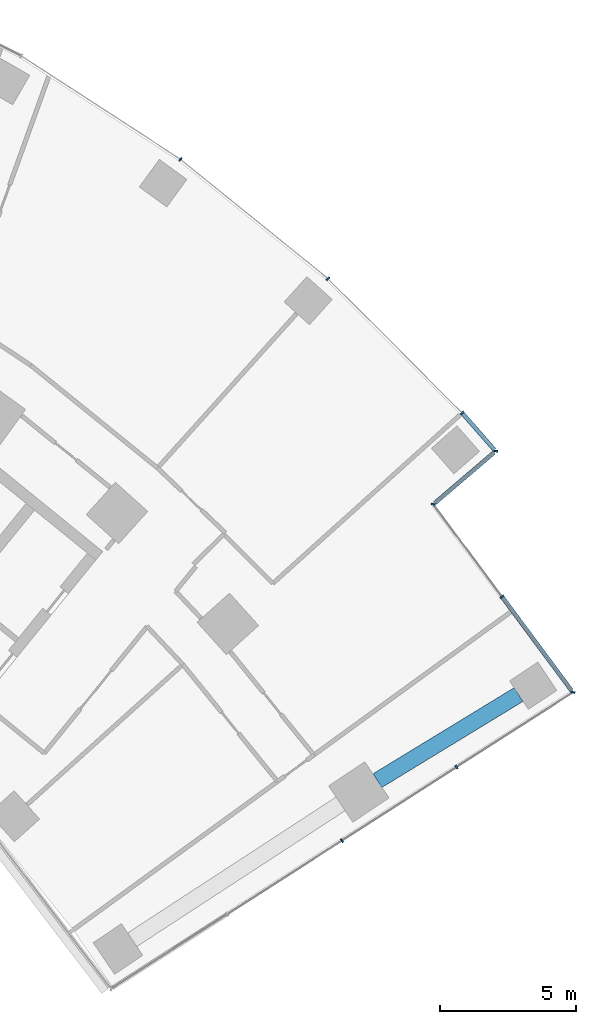
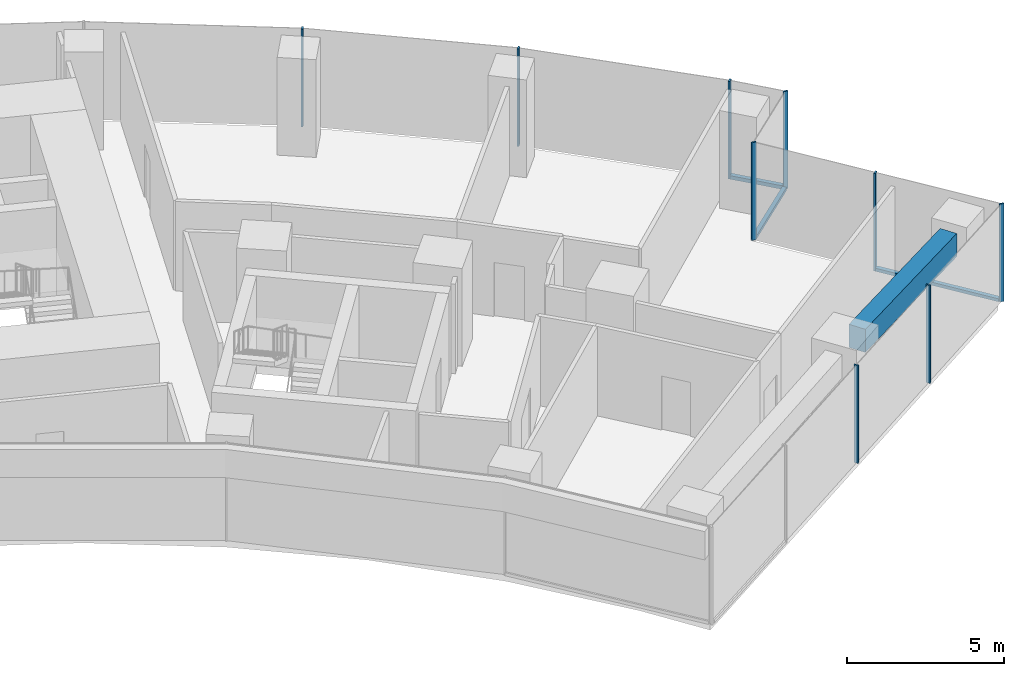
# One storey, part 10 of 21: 12 members, 1 beam, 4 elements without a shape of their own.
"""IFC4 building model written with IfcOpenShell, lengths in metres."""

from ifc_helpers import new_model, si_unit, direction, frame, origin, origin_2d, place, context, subcontext, project, spatial, rectangle, extrude, material, layer, layer_set, material_profile, profile_set, type_object, element, aggregate, save


model = new_model("IFC4")

# Units and contexts
model_context = context("Model", 3, precision=1e-05, world=origin(), true_north=direction((0.0, 1.0)))
body_context = subcontext(model_context, "Body", "Model", "MODEL_VIEW")
ifc_project = project(units=[si_unit("LENGTHUNIT", "METRE"), si_unit("AREAUNIT", "SQUARE_METRE"), si_unit("VOLUMEUNIT", "CUBIC_METRE"), si_unit("PLANEANGLEUNIT", "RADIAN"), si_unit("MASSUNIT", "GRAM", prefix="KILO")], contexts=[model_context])

# Site, building, storey
site_placement = place(None, origin())
site = spatial("IfcSite", under=ifc_project, at=site_placement, CompositionType="ELEMENT")
building_placement = place(site_placement, origin())
building = spatial("IfcBuilding", under=site, at=building_placement, Name="Stone Belt Terrace Tower", CompositionType="ELEMENT")
storey_placement = place(building_placement, frame((0.0, 0.0, 49.0)))
storey = spatial("IfcBuildingStorey", under=building, at=storey_placement, Name="L11", CompositionType="ELEMENT", Elevation=49.0)

# Curtain wall, members
ifc_material_1 = material(Name="Aluminium 6063-T6 anodised frame", Category="aluminium")
ifc_layer_1 = layer(ifc_material_1, 0.14990234375)
ifc_layer_set_1 = layer_set([ifc_layer_1], Name="CW-A unitised convex-face curtain wall")
curtain_wall_type_1 = type_object("IfcCurtainWallType", Name="CW-A unitised convex-face curtain wall", PredefinedType="NOTDEFINED", material=ifc_layer_set_1)
curtain_wall_1_placement = place(storey_placement, origin())
curtain_wall_1 = element("IfcCurtainWall", 1, at=curtain_wall_1_placement, inside=storey, type_object=curtain_wall_type_1, Name="CW-A convex face L11", PredefinedType="NOTDEFINED")
ifc_material_profile_1 = material_profile(ifc_material_1, rectangle(XDim=0.14990234375, YDim=0.06005859375, at=origin_2d()), Name="Aluminium 6063-T6 60x150")
ifc_profile_set_1 = profile_set([ifc_material_profile_1], Name="Aluminium 6063-T6 anodised frame")
member_type_1 = type_object("IfcMemberType", Name="CW-A mullion 60 x 150", PredefinedType="MULLION", material=ifc_profile_set_1)
member_1_placement = place(storey_placement, frame((50.704833984375, 43.14404296875, 0.0), z_axis=(0.0, 0.0, 1.0), x_axis=(-0.997370302564, 0.072473992328, 0.0)))
member_1 = element("IfcMember", 2, at=member_1_placement, type_object=member_type_1, Name="CW-A mullion 1", PredefinedType="MULLION", context=body_context, shape_type="SweptSolid", body=[
    extrude(rectangle(XDim=0.14990234375, YDim=0.06005859375, at=origin_2d()), origin(), (0.0, 0.0, 1.0), 3.800048828125),
])
member_2_placement = place(storey_placement, frame((49.473876953125, 44.548583984375, 0.0), z_axis=(0.0, 0.0, 1.0), x_axis=(-0.729987735312, -0.683460244853, 0.0)))
member_2 = element("IfcMember", 3, at=member_2_placement, type_object=member_type_1, Name="CW-A mullion 2", PredefinedType="MULLION", context=body_context, shape_type="SweptSolid", body=[
    extrude(rectangle(XDim=0.14990234375, YDim=0.06005859375, at=origin_2d()), origin(), (0.0, 0.0, 1.0), 3.800048828125),
])
member_3_placement = place(storey_placement, frame((44.54736328125, 49.474853515625, 0.0), z_axis=(0.0, 0.0, 1.0), x_axis=(-0.669130606359, -0.743144825477, 0.0)))
member_3 = element("IfcMember", 4, at=member_3_placement, type_object=member_type_1, Name="CW-A mullion 3", PredefinedType="MULLION", context=body_context, shape_type="SweptSolid", body=[
    extrude(rectangle(XDim=0.14990234375, YDim=0.06005859375, at=origin_2d()), origin(), (0.0, 0.0, 1.0), 3.800048828125),
])
member_4_placement = place(storey_placement, frame((39.1318359375, 53.8603515625, 0.0), z_axis=(0.0, 0.0, 1.0), x_axis=(-0.587785252292, -0.809016994375, 0.0)))
member_4 = element("IfcMember", 5, at=member_4_placement, type_object=member_type_1, Name="CW-A mullion 4", PredefinedType="MULLION", context=body_context, shape_type="SweptSolid", body=[
    extrude(rectangle(XDim=0.14990234375, YDim=0.06005859375, at=origin_2d()), origin(), (0.0, 0.0, 1.0), 3.800048828125),
])
ifc_material_profile_2 = material_profile(ifc_material_1, rectangle(XDim=0.14990234375, YDim=0.139892578125, at=origin_2d()), Name="Aluminium 6063-T6 150x140")
ifc_profile_set_2 = profile_set([ifc_material_profile_2], Name="Aluminium 6063-T6 anodised frame")
member_type_2 = type_object("IfcMemberType", Name="CW-A transom 140 x 150", PredefinedType="USERDEFINED", material=ifc_profile_set_2)
member_5_placement = place(storey_placement, frame((50.65576171875, 43.199951171875, 0.070068359375), z_axis=(-0.659054166524, 0.752095476378, 0.0), x_axis=(-0.752095476378, -0.659054166524, 0.0)))
member_5 = element("IfcMember", 6, at=member_5_placement, type_object=member_type_2, Name="CW-A transom 1.1", ObjectType="TRANSOM", PredefinedType="USERDEFINED", context=body_context, shape_type="SweptSolid", body=[
    extrude(rectangle(XDim=0.14990234375, YDim=0.139892578125, at=origin_2d()), origin(), (0.0, 0.0, 1.0), 1.7607421875),
])
aggregate(curtain_wall_1, [member_1, member_2, member_3, member_4, member_5])

ifc_layer_2 = layer(ifc_material_1, 0.14990234375)
ifc_layer_set_2 = layer_set([ifc_layer_2], Name="CW-C stick curtain wall, horn ends and notches")
curtain_wall_type_2 = type_object("IfcCurtainWallType", Name="CW-C stick curtain wall, horn ends and notches", PredefinedType="NOTDEFINED", material=ifc_layer_set_2)
curtain_wall_2_placement = place(storey_placement, origin())
curtain_wall_2 = element("IfcCurtainWall", 7, at=curtain_wall_2_placement, inside=storey, type_object=curtain_wall_type_2, Name="CW-C end face L11", PredefinedType="NOTDEFINED")
ifc_material_profile_3 = material_profile(ifc_material_1, rectangle(XDim=0.14990234375, YDim=0.06005859375, at=origin_2d()), Name="Aluminium 6063-T6 60x150")
ifc_profile_set_3 = profile_set([ifc_material_profile_3], Name="Aluminium 6063-T6 anodised frame")
member_type_3 = type_object("IfcMemberType", Name="CW-C mullion 60 x 150", PredefinedType="MULLION", material=ifc_profile_set_3)
member_6_placement = place(storey_placement, frame((45.059326171875, 28.843017578125, 0.0), z_axis=(0.0, 0.0, 1.0), x_axis=(-0.540302305869, 0.841470984807, 0.0)))
member_6 = element("IfcMember", 8, at=member_6_placement, type_object=member_type_3, Name="CW-C mullion 3", PredefinedType="MULLION", context=body_context, shape_type="SweptSolid", body=[
    extrude(rectangle(XDim=0.14990234375, YDim=0.06005859375, at=origin_2d()), origin(), (0.0, 0.0, 1.0), 3.800048828125),
])
member_7_placement = place(storey_placement, frame((49.2666015625, 31.544677734375, 0.0), z_axis=(0.0, 0.0, 1.0), x_axis=(-0.540302305869, 0.841470984807, 0.0)))
member_7 = element("IfcMember", 9, at=member_7_placement, type_object=member_type_3, Name="CW-C mullion 4", PredefinedType="MULLION", context=body_context, shape_type="SweptSolid", body=[
    extrude(rectangle(XDim=0.14990234375, YDim=0.06005859375, at=origin_2d()), origin(), (0.0, 0.0, 1.0), 3.800048828125),
])
aggregate(curtain_wall_2, [member_6, member_7])

curtain_wall_3_placement = place(storey_placement, origin())
curtain_wall_3 = element("IfcCurtainWall", 10, at=curtain_wall_3_placement, inside=storey, type_object=curtain_wall_type_2, Name="CW-C notch face L11", PredefinedType="NOTDEFINED")
member_8_placement = place(storey_placement, frame((53.54150390625, 34.28955078125, 0.0), z_axis=(0.0, 0.0, 1.0), x_axis=(-0.983706042756, 0.179784374864, 0.0)))
member_8 = element("IfcMember", 11, at=member_8_placement, type_object=member_type_3, Name="CW-C mullion 1", PredefinedType="MULLION", context=body_context, shape_type="SweptSolid", body=[
    extrude(rectangle(XDim=0.14990234375, YDim=0.06005859375, at=origin_2d()), origin(), (0.0, 0.0, 1.0), 3.800048828125),
])
member_9_placement = place(storey_placement, frame((50.934814453125, 37.8017578125, 0.0), z_axis=(0.0, 0.0, 1.0), x_axis=(-0.803011209749, -0.59596392258, 0.0)))
member_9 = element("IfcMember", 12, at=member_9_placement, type_object=member_type_3, Name="CW-C mullion 2", PredefinedType="MULLION", context=body_context, shape_type="SweptSolid", body=[
    extrude(rectangle(XDim=0.14990234375, YDim=0.06005859375, at=origin_2d()), origin(), (0.0, 0.0, 1.0), 3.800048828125),
])

# Curtain wall, member
curtain_wall_4_placement = place(storey_placement, origin())
curtain_wall_4 = element("IfcCurtainWall", 13, at=curtain_wall_4_placement, inside=storey, type_object=curtain_wall_type_2, Name="CW-C notch face L11", PredefinedType="NOTDEFINED")
member_10_placement = place(storey_placement, frame((48.417724609375, 41.193359375, 0.0), z_axis=(0.0, 0.0, 1.0), x_axis=(-0.993611226817, 0.112857121813, 0.0)))
member_10 = element("IfcMember", 14, at=member_10_placement, type_object=member_type_3, Name="CW-C mullion 1", PredefinedType="MULLION", context=body_context, shape_type="SweptSolid", body=[
    extrude(rectangle(XDim=0.14990234375, YDim=0.06005859375, at=origin_2d()), origin(), (0.0, 0.0, 1.0), 3.800048828125),
])

# Member
ifc_material_profile_4 = material_profile(ifc_material_1, rectangle(XDim=0.14990234375, YDim=0.1201171875, at=origin_2d()), Name="Aluminium 6063-T6 150x120")
ifc_profile_set_4 = profile_set([ifc_material_profile_4], Name="Aluminium 6063-T6 anodised frame")
member_type_4 = type_object("IfcMemberType", Name="CW-C transom 120 x 150", PredefinedType="USERDEFINED", material=ifc_profile_set_4)
member_11_placement = place(storey_placement, frame((53.49658203125, 34.349853515625, 0.06005859375), z_axis=(-0.595965912746, 0.803009732721, 0.0), x_axis=(-0.803009732721, -0.595965912746, 0.0)))
member_11 = element("IfcMember", 15, at=member_11_placement, type_object=member_type_4, Name="CW-C transom 1.1", ObjectType="TRANSOM", PredefinedType="USERDEFINED", context=body_context, shape_type="SweptSolid", body=[
    extrude(rectangle(XDim=0.14990234375, YDim=0.1201171875, at=origin_2d()), origin(), (0.0, 0.0, 1.0), 4.2685546875),
])

aggregate(curtain_wall_3, [member_8, member_9, member_11])

member_12_placement = place(storey_placement, frame((48.47314453125, 41.240966796875, 0.06005859375), z_axis=(0.760912085112, 0.648854990526, 0.0), x_axis=(-0.648854990526, 0.760912085112, 0.0)))
member_12 = element("IfcMember", 16, at=member_12_placement, type_object=member_type_4, Name="CW-C transom 1.1", ObjectType="TRANSOM", PredefinedType="USERDEFINED", context=body_context, shape_type="SweptSolid", body=[
    extrude(rectangle(XDim=0.14990234375, YDim=0.1201171875, at=origin_2d()), origin(), (0.0, 0.0, 1.0), 2.8583984375),
])

aggregate(curtain_wall_4, [member_10, member_12])

# Beam
ifc_material_2 = material(Name="Concrete B60", Category="concrete")
ifc_material_profile_5 = material_profile(ifc_material_2, rectangle(XDim=0.60009765625, YDim=0.89990234375, at=origin_2d()), Name="RC 600x900")
ifc_profile_set_5 = profile_set([ifc_material_profile_5], Name="Concrete B60")
beam_type = type_object("IfcBeamType", Name="Edge beam RC 600x900 B60", PredefinedType="SPANDREL", material=ifc_profile_set_5)
beam_placement = place(storey_placement, frame((46.364013671875, 31.048828125, 3.030029296875), z_axis=(0.853851123316, 0.520517299627, 0.0), x_axis=(-0.520517299627, 0.853851123316, 0.0)))
element("IfcBeam", 17, at=beam_placement, inside=storey, type_object=beam_type, Name="Edge beam L11 B Q to R", PredefinedType="SPANDREL", context=body_context, shape_type="SweptSolid", body=[
    extrude(rectangle(XDim=0.60009765625, YDim=0.89990234375, at=origin_2d()), origin(), (0.0, 0.0, 1.0), 6.06884765625),
])

save(model, "model.ifc")
